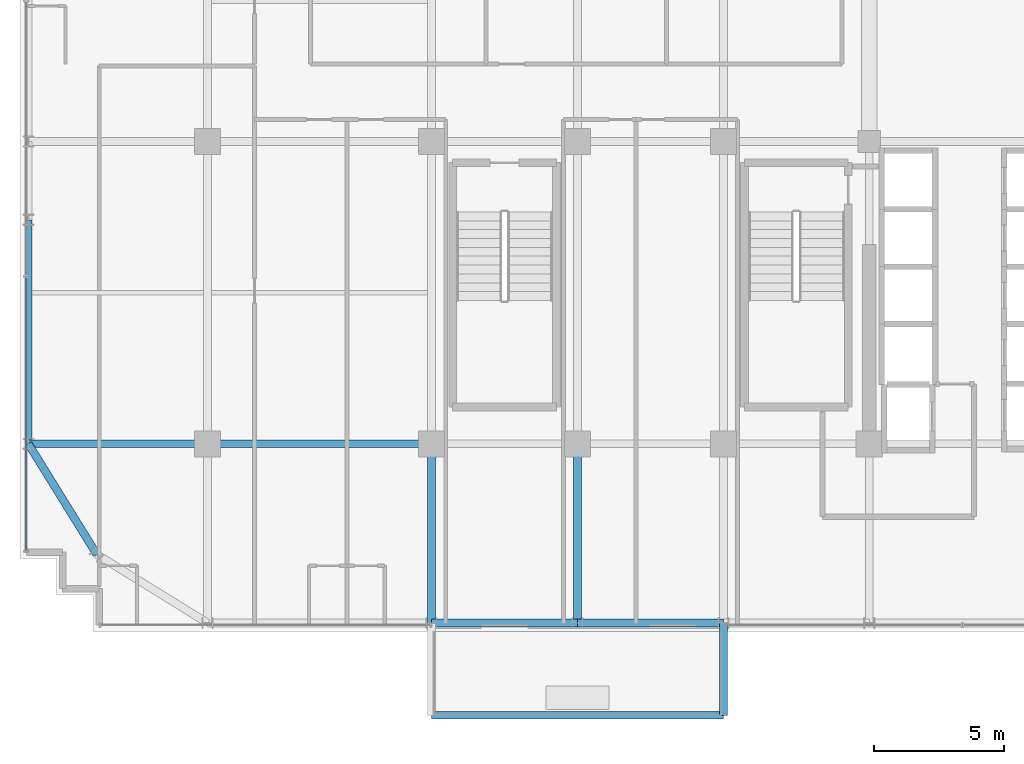
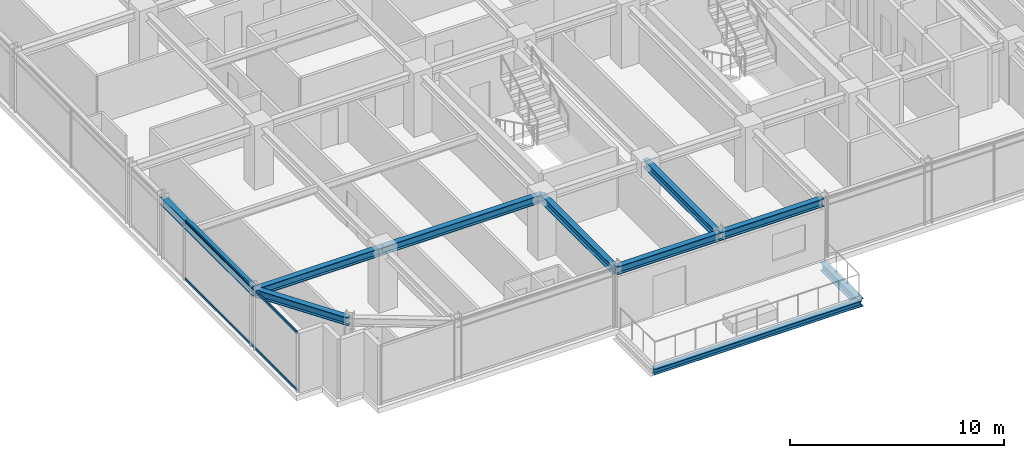
# One storey, part 5 of 34: 10 beams, 2 members, 1 element without a shape of its own.
"""IFC4 building model written with IfcOpenShell, lengths in metres."""

import ifcopenshell
import ifcopenshell.guid

model = None  # the IFC model being written
_history = None  # IfcOwnerHistory: only IFC2X3 demands one
_inside = {}  # id of a spatial element -> (the spatial element, [elements in it])
_under = {}  # id of a project, library or spatial element -> (it, [spatial elements below it])
_declared = {}  # id of a project -> (the project, [libraries it declares])
_typed = {}  # id of a type object -> (the type object, [elements of that type])
_made_of = {}  # id of a material, layer set ... -> (it, [elements and type objects made of it])


def new_model(schema):
    """Start an empty IFC model of exactly this schema.

    Asked for "IFC4X3", IfcOpenShell would pick the latest addendum, in which some entities
    have other attributes; the version numbers below select the first issue.
    IFC2X3 requires an IfcOwnerHistory on every rooted entity: one is made here for all.
    """
    global model, _history
    if schema == "IFC4X3":
        model = ifcopenshell.file(schema_version=(4, 3, 0, 0))
    else:
        model = ifcopenshell.file(schema=schema)
    _inside.clear()
    _under.clear()
    _declared.clear()
    _typed.clear()
    _made_of.clear()
    _history = None
    if model.schema == "IFC2X3":
        org = make("IfcOrganization", Name="unknown")
        user = make(
            "IfcPersonAndOrganization",
            ThePerson=make("IfcPerson", FamilyName="unknown"),
            TheOrganization=org,
        )
        app = make(
            "IfcApplication",
            ApplicationDeveloper=org,
            Version="unknown",
            ApplicationFullName="unknown",
            ApplicationIdentifier="unknown",
        )
        _history = make(
            "IfcOwnerHistory",
            OwningUser=user,
            OwningApplication=app,
            ChangeAction="ADDED",
            CreationDate=0,
        )
    return model


def make(cls, **values):
    """One entity of the class cls with the attributes given. An attribute that is None is left unset."""
    return model.create_entity(
        cls, **{name: value for name, value in values.items() if value is not None}
    )


def rooted(cls, **values):
    """An entity with a GlobalId (a new one), such as an element, a storey or a relation."""
    return make(cls, GlobalId=ifcopenshell.guid.new(), OwnerHistory=_history, **values)


def si_unit(unit_type, name, prefix=None):
    """IfcSIUnit, for example si_unit("LENGTHUNIT", "METRE", prefix="MILLI")."""
    return make("IfcSIUnit", UnitType=unit_type, Prefix=prefix, Name=name)


def assignment(units):
    """IfcUnitAssignment: the units of a project."""
    return None if units is None else make("IfcUnitAssignment", Units=units)


def point(xyz):
    """IfcCartesianPoint."""
    return None if xyz is None else make("IfcCartesianPoint", Coordinates=xyz)


def direction(xyz):
    """IfcDirection."""
    return None if xyz is None else make("IfcDirection", DirectionRatios=xyz)


def frame(location, z_axis=None, x_axis=None):
    """IfcAxis2Placement3D, a coordinate frame: its origin and axes. An axis left out is left unset."""
    return make(
        "IfcAxis2Placement3D",
        Location=point(location),
        Axis=direction(z_axis),
        RefDirection=direction(x_axis),
    )


def frame_2d(location, x_axis=None):
    """IfcAxis2Placement2D, a coordinate frame in the plane: its origin and x axis."""
    return make(
        "IfcAxis2Placement2D", Location=point(location), RefDirection=direction(x_axis)
    )


def origin():
    """The frame at (0, 0, 0) with its axes left unset."""
    return frame((0.0, 0.0, 0.0))


def origin_2d():
    """The frame at (0, 0) in the plane with its x axis left unset."""
    return frame_2d((0.0, 0.0))


def place(relative_to, where):
    """IfcLocalPlacement: puts the frame where relative to a parent placement (None: the world)."""
    return make(
        "IfcLocalPlacement", PlacementRelTo=relative_to, RelativePlacement=where
    )


def context(
    kind, dimensions, precision=None, world=None, true_north=None, identifier=None
):
    """IfcGeometricRepresentationContext, for example the 3D "Model" context."""
    return make(
        "IfcGeometricRepresentationContext",
        ContextIdentifier=identifier,
        ContextType=kind,
        CoordinateSpaceDimension=dimensions,
        Precision=precision,
        WorldCoordinateSystem=world,
        TrueNorth=true_north,
    )


def subcontext(parent, identifier, kind, view, scale=None):
    """IfcGeometricRepresentationSubContext, for example "Body" below "Model"."""
    return make(
        "IfcGeometricRepresentationSubContext",
        ContextIdentifier=identifier,
        ContextType=kind,
        ParentContext=parent,
        TargetScale=scale,
        TargetView=view,
    )


def project(units=None, contexts=None):
    """IfcProject with its units and contexts."""
    return rooted(
        "IfcProject",
        Name="project",
        RepresentationContexts=contexts,
        UnitsInContext=assignment(units),
    )


def spatial(cls, under=None, at=None, **own):
    """A site, building, storey or space (cls), placed at a placement, below another one or the project."""
    s = rooted(cls, ObjectPlacement=at, **own)
    if under is not None:
        _under.setdefault(under.id(), (under, []))[1].append(s)
    return s


def profile(cls, at=None, kind="AREA", **sizes):
    """A parametric profile (cls). Its sizes go by their IFC names, for example OverallWidth=200.0."""
    return make(cls, ProfileType=kind, Position=at, **sizes)


def hollow_rectangle(**sizes):
    """IfcRectangleHollowProfileDef."""
    return profile("IfcRectangleHollowProfileDef", **sizes)


def i_section(**sizes):
    """IfcIShapeProfileDef."""
    return profile("IfcIShapeProfileDef", **sizes)


def extrude(swept, where, along, depth):
    """IfcExtrudedAreaSolid: the profile swept, set in the frame where, extruded along a direction by depth."""
    return make(
        "IfcExtrudedAreaSolid",
        SweptArea=swept,
        Position=where,
        ExtrudedDirection=direction(along),
        Depth=depth,
    )


def shape(context_of_items, identifier, shape_type, items):
    """IfcShapeRepresentation: the items that make up one representation, for example the "Body"."""
    return make(
        "IfcShapeRepresentation",
        ContextOfItems=context_of_items,
        RepresentationIdentifier=identifier,
        RepresentationType=shape_type,
        Items=items,
    )


def source(mapping_origin, context_of_items, identifier, shape_type, items):
    """IfcRepresentationMap: a shape defined once, which mapped items show again and again."""
    return make(
        "IfcRepresentationMap",
        MappingOrigin=mapping_origin,
        MappedRepresentation=shape(context_of_items, identifier, shape_type, items),
    )


def transform(
    local_origin,
    x_axis=None,
    y_axis=None,
    z_axis=None,
    scale=None,
    scale2=None,
    scale3=None,
    uniform=True,
):
    """IfcCartesianTransformationOperator3D, or its non-uniform kind. x_axis, y_axis, z_axis: its Axis1, 2, 3."""
    if uniform:
        return make(
            "IfcCartesianTransformationOperator3D",
            Axis1=direction(x_axis),
            Axis2=direction(y_axis),
            LocalOrigin=point(local_origin),
            Scale=scale,
            Axis3=direction(z_axis),
        )
    return make(
        "IfcCartesianTransformationOperator3DnonUniform",
        Axis1=direction(x_axis),
        Axis2=direction(y_axis),
        LocalOrigin=point(local_origin),
        Scale=scale,
        Axis3=direction(z_axis),
        Scale2=scale2,
        Scale3=scale3,
    )


def mapped(mapping_source, mapping_target):
    """IfcMappedItem: shows the shape of a source again, moved by a transform."""
    return make(
        "IfcMappedItem", MappingSource=mapping_source, MappingTarget=mapping_target
    )


def material(Name=None, Category=None):
    """IfcMaterial."""
    return make("IfcMaterial", Name=Name, Category=Category)


def material_profile(
    of_material, cross_section, Name=None, Category=None, Priority=None
):
    """IfcMaterialProfile: a cross section and its material."""
    return make(
        "IfcMaterialProfile",
        Name=Name,
        Material=of_material,
        Profile=cross_section,
        Priority=Priority,
        Category=Category,
    )


def profile_set(profiles, Name=None, composite=None):
    """IfcMaterialProfileSet."""
    return make(
        "IfcMaterialProfileSet",
        Name=Name,
        MaterialProfiles=profiles,
        CompositeProfile=composite,
    )


def made_of(thing, what):
    """Note that an element or type object is made of a material, layer set ...; save() writes the relation."""
    if what is not None:
        _made_of.setdefault(what.id(), (what, []))[1].append(thing)
    return thing


def type_object(cls, material=None, **own):
    """A type object (cls), such as IfcWallType, which elements share."""
    return made_of(rooted(cls, **own), material)


def element(
    cls,
    number,
    at=None,
    inside=None,
    cuts=None,
    type_object=None,
    material=None,
    context=None,
    identifier="Body",
    shape_type=None,
    held_by="IfcProductDefinitionShape",
    body=None,
    shapes=None,
    **own,
):
    """One element of the class cls, such as IfcWall. Its Tag is "e" and its number.

    at: its placement. inside: the storey or other place that contains it. cuts: it is an
    opening in that element (IfcRelVoidsElement). A single representation is given by context,
    identifier, shape_type and body (its items); several are given by shapes. held_by: the class
    of the entity that holds the representations. save() writes the other relations.
    """
    e = rooted(cls, Tag="e%d" % number, ObjectPlacement=at, **own)
    if body is not None:
        shapes = [shape(context, identifier, shape_type, body)]
    if shapes is not None:
        e.Representation = make(held_by, Representations=shapes)
    if inside is not None:
        _inside.setdefault(inside.id(), (inside, []))[1].append(e)
    if cuts is not None:
        rooted(
            "IfcRelVoidsElement", RelatingBuildingElement=cuts, RelatedOpeningElement=e
        )
    if type_object is not None:
        _typed.setdefault(type_object.id(), (type_object, []))[1].append(e)
    return made_of(e, material)


def aggregate(whole, parts):
    """IfcRelAggregates: a whole, such as a stair, and the parts it consists of."""
    return rooted("IfcRelAggregates", RelatingObject=whole, RelatedObjects=parts)


def save(model, path):
    """Write the relations noted so far, then the file.

    IfcRelAggregates (storeys below a building ...), IfcRelContainedInSpatialStructure (elements
    in a storey), IfcRelDefinesByType, IfcRelAssociatesMaterial and IfcRelDeclares: one each for
    every whole, place, type object, material and project.
    """
    for whole, parts in _under.values():
        aggregate(whole, parts)
    for where, things in _inside.values():
        rooted(
            "IfcRelContainedInSpatialStructure",
            RelatedElements=things,
            RelatingStructure=where,
        )
    for kind, things in _typed.values():
        rooted("IfcRelDefinesByType", RelatedObjects=things, RelatingType=kind)
    for what, things in _made_of.values():
        rooted("IfcRelAssociatesMaterial", RelatedObjects=things, RelatingMaterial=what)
    for by, libraries in _declared.values():
        rooted("IfcRelDeclares", RelatingContext=by, RelatedDefinitions=libraries)
    model.write(path)


model = new_model("IFC4")

# Units and contexts
model_context = context("Model", 3, precision=1e-05, world=origin(), true_north=direction((0.0, 1.0)))
body_context = subcontext(model_context, "Body", "Model", "MODEL_VIEW")
ifc_project = project(units=[si_unit("LENGTHUNIT", "METRE"), si_unit("AREAUNIT", "SQUARE_METRE"), si_unit("VOLUMEUNIT", "CUBIC_METRE"), si_unit("PLANEANGLEUNIT", "RADIAN"), si_unit("MASSUNIT", "GRAM", prefix="KILO")], contexts=[model_context])

# Site, building, storey
site_placement = place(None, origin())
site = spatial("IfcSite", under=ifc_project, at=site_placement, CompositionType="ELEMENT")
building_placement = place(site_placement, origin())
building = spatial("IfcBuilding", under=site, at=building_placement, Name="Nahalor Promenade Grand Hotel", CompositionType="ELEMENT")
storey_placement = place(building_placement, frame((0.0, 0.0, 208.60009765625)))
storey = spatial("IfcBuildingStorey", under=building, at=storey_placement, Name="L53", CompositionType="ELEMENT", Elevation=208.60009765625)

# Beams
ifc_material_1 = material(Name="Steel S355JR", Category="steel")
ifc_material_profile_1 = material_profile(ifc_material_1, i_section(OverallWidth=0.3, OverallDepth=0.32, WebThickness=0.0115, FlangeThickness=0.0205, at=origin_2d()), Name="HEB 320")
ifc_profile_set_1 = profile_set([ifc_material_profile_1], Name="Steel S355JR")
beam_type_1 = type_object("IfcBeamType", Name="Beam-BalcEdge-HEB320", PredefinedType="SPANDREL", material=ifc_profile_set_1)
shared_shape_1 = source(origin(), body_context, "Body", "SweptSolid", [
    extrude(i_section(OverallWidth=0.3, OverallDepth=0.32, WebThickness=0.0115, FlangeThickness=0.0205, at=origin_2d()), origin(), (0.0, 0.0, 1.0), 11.199951171875),
])
beam_1_placement = place(storey_placement, frame((-8.39990234375, -27.419921875, -0.440185546875), z_axis=(1.0, 0.0, 0.0), x_axis=(0.0, 1.0, 0.0)))
element("IfcBeam", 1, at=beam_1_placement, inside=storey, type_object=beam_type_1, Name="BM-L53-BC-01-F", PredefinedType="SPANDREL", context=body_context, shape_type="MappedRepresentation", body=[
    mapped(shared_shape_1, transform((0.0, 0.0, 0.0), scale=1.0)),
])
ifc_material_profile_2 = material_profile(ifc_material_1, i_section(OverallWidth=0.3, OverallDepth=0.45, WebThickness=0.014, FlangeThickness=0.026, at=origin_2d()), Name="HEB 450")
ifc_profile_set_2 = profile_set([ifc_material_profile_2], Name="Steel S355JR")
beam_type_2 = type_object("IfcBeamType", Name="Beam-Outrigger-HEB450", PredefinedType="BEAM", material=ifc_profile_set_2)
shared_shape_2 = source(origin(), body_context, "Body", "SweptSolid", [
    extrude(i_section(OverallWidth=0.3, OverallDepth=0.45, WebThickness=0.014, FlangeThickness=0.026, at=origin_2d()), origin(), (0.0, 0.0, 1.0), 3.5400390625),
])
beam_2_placement = place(storey_placement, frame((2.800048828125, -27.419921875, -0.505126953125), z_axis=(0.0, 1.0, 0.0), x_axis=(-1.0, 0.0, 0.0)))
element("IfcBeam", 2, at=beam_2_placement, inside=storey, type_object=beam_type_2, Name="BM-L53-BC-01-2", PredefinedType="BEAM", context=body_context, shape_type="MappedRepresentation", body=[
    mapped(shared_shape_2, transform((0.0, 0.0, 0.0), scale=1.0)),
])
ifc_material_profile_3 = material_profile(ifc_material_1, i_section(OverallWidth=0.3, OverallDepth=0.45, WebThickness=0.014, FlangeThickness=0.026, at=origin_2d()), Name="HEB 450")
ifc_profile_set_3 = profile_set([ifc_material_profile_3], Name="Steel S355JR")
beam_type_3 = type_object("IfcBeamType", Name="Beam-Spandrel-HEB450", PredefinedType="SPANDREL", material=ifc_profile_set_3)
shared_shape_3 = source(origin(), body_context, "Body", "SweptSolid", [
    extrude(i_section(OverallWidth=0.3, OverallDepth=0.45, WebThickness=0.014, FlangeThickness=0.026, at=origin_2d()), origin(), (0.0, 0.0, 1.0), 8.60009765625),
])
beam_3_placement = place(storey_placement, frame((-23.8798828125, -17.0, 3.184814453125), z_axis=(0.0, 1.0, 0.0), x_axis=(-1.0, 0.0, 0.0)))
element("IfcBeam", 3, at=beam_3_placement, inside=storey, type_object=beam_type_3, Name="BM-L53-SP-W-0", PredefinedType="SPANDREL", context=body_context, shape_type="MappedRepresentation", body=[
    mapped(shared_shape_3, transform((0.0, 0.0, 0.0), scale=1.0)),
])
shared_shape_4 = source(origin(), body_context, "Body", "SweptSolid", [
    extrude(i_section(OverallWidth=0.3, OverallDepth=0.45, WebThickness=0.014, FlangeThickness=0.026, at=origin_2d()), origin(), (0.0, 0.0, 1.0), 5.599853515625),
])
beam_4_placement = place(storey_placement, frame((-8.39990234375, -23.8798828125, 3.184814453125), z_axis=(1.0, 0.0, 0.0), x_axis=(0.0, 1.0, 0.0)))
element("IfcBeam", 4, at=beam_4_placement, inside=storey, type_object=beam_type_3, Name="BM-L53-SP-S-1", PredefinedType="SPANDREL", context=body_context, shape_type="MappedRepresentation", body=[
    mapped(shared_shape_4, transform((0.0, 0.0, 0.0), scale=1.0)),
])
shared_shape_5 = source(origin(), body_context, "Body", "SweptSolid", [
    extrude(i_section(OverallWidth=0.3, OverallDepth=0.45, WebThickness=0.014, FlangeThickness=0.026, at=origin_2d()), origin(), (0.0, 0.0, 1.0), 5.60009765625),
])
beam_5_placement = place(storey_placement, frame((-2.800048828125, -23.8798828125, 3.184814453125), z_axis=(1.0, 0.0, 0.0), x_axis=(0.0, 1.0, 0.0)))
element("IfcBeam", 5, at=beam_5_placement, inside=storey, type_object=beam_type_3, Name="BM-L53-SP-S-2", PredefinedType="SPANDREL", context=body_context, shape_type="MappedRepresentation", body=[
    mapped(shared_shape_5, transform((0.0, 0.0, 0.0), scale=1.0)),
])
shared_shape_6 = source(origin(), body_context, "Body", "SweptSolid", [
    extrude(i_section(OverallWidth=0.3, OverallDepth=0.45, WebThickness=0.014, FlangeThickness=0.026, at=origin_2d()), origin(), (0.0, 0.0, 1.0), 4.997802734375),
])
beam_6_placement = place(storey_placement, frame((-21.25, -21.25, 3.184814453125), z_axis=(-0.526199891161, 0.850360908404, 0.0), x_axis=(-0.850360908404, -0.526199891161, 0.0)))
element("IfcBeam", 6, at=beam_6_placement, inside=storey, type_object=beam_type_3, Name="BM-L53-SPC-SW-2", PredefinedType="SPANDREL", context=body_context, shape_type="MappedRepresentation", body=[
    mapped(shared_shape_6, transform((0.0, 0.0, 0.0), scale=1.0)),
])
ifc_material_profile_4 = material_profile(ifc_material_1, i_section(OverallWidth=0.3, OverallDepth=0.45, WebThickness=0.014, FlangeThickness=0.026, at=origin_2d()), Name="HEB 450")
ifc_profile_set_4 = profile_set([ifc_material_profile_4], Name="Steel S355JR")
beam_type_4 = type_object("IfcBeamType", Name="Beam-Girder-HEB450", PredefinedType="BEAM", material=ifc_profile_set_4)
shared_shape_7 = source(origin(), body_context, "Body", "SweptSolid", [
    extrude(i_section(OverallWidth=0.3, OverallDepth=0.45, WebThickness=0.014, FlangeThickness=0.026, at=origin_2d()), origin(), (0.0, 0.0, 1.0), 6.8798828125),
])
for number, where, z_axis, x_axis, name in (
    (7, (-23.8798828125, -17.0, 3.184814453125), (1.0, 0.0, 0.0), (0.0, 1.0, 0.0), "BM-L53-GX-0-0"),
    (8, (-8.39990234375, -23.8798828125, 3.184814453125), (0.0, 1.0, 0.0), (-1.0, 0.0, 0.0), "BM-L53-GY-1-0"),
    (9, (-2.800048828125, -23.8798828125, 3.184814453125), (0.0, 1.0, 0.0), (-1.0, 0.0, 0.0), "BM-L53-GY-2-0"),
):
    element("IfcBeam", number, at=place(storey_placement, frame(where, z_axis=z_axis, x_axis=x_axis)), inside=storey, type_object=beam_type_4, Name=name, PredefinedType="BEAM", context=body_context, shape_type="MappedRepresentation", body=[
        mapped(shared_shape_7, transform((0.0, 0.0, 0.0), scale=1.0)),
    ])
shared_shape_8 = source(origin(), body_context, "Body", "SweptSolid", [
    extrude(i_section(OverallWidth=0.3, OverallDepth=0.45, WebThickness=0.014, FlangeThickness=0.026, at=origin_2d()), origin(), (0.0, 0.0, 1.0), 8.60009765625),
])
beam_7_placement = place(storey_placement, frame((-17.0, -17.0, 3.184814453125), z_axis=(1.0, 0.0, 0.0), x_axis=(0.0, 1.0, 0.0)))
element("IfcBeam", 10, at=beam_7_placement, inside=storey, type_object=beam_type_4, Name="BM-L53-GX-0-1", PredefinedType="BEAM", context=body_context, shape_type="MappedRepresentation", body=[
    mapped(shared_shape_8, transform((0.0, 0.0, 0.0), scale=1.0)),
])

# Curtain wall, members
ifc_material_2 = material(Name="Anodised Bronze Aluminium EN AW-6063 T6", Category="aluminium")
curtain_wall_type = type_object("IfcCurtainWallType", Name="CW2 Typical Hotel Flush Bronze Unitised Curtain Wall", PredefinedType="USERDEFINED", material=ifc_material_2)
curtain_wall_placement = place(storey_placement, origin())
curtain_wall = element("IfcCurtainWall", 11, at=curtain_wall_placement, inside=storey, type_object=curtain_wall_type, Name="L53 Curtain Wall CW-L53-W-1", ObjectType="UNITISED_CURTAIN_WALL", PredefinedType="USERDEFINED")
ifc_material_profile_5 = material_profile(ifc_material_2, hollow_rectangle(XDim=0.065, YDim=0.13, WallThickness=0.004, at=origin_2d()), Name="CWT 65x130x4")
ifc_profile_set_5 = profile_set([ifc_material_profile_5], Name="Anodised Bronze Aluminium EN AW-6063 T6")
member_type = type_object("IfcMemberType", Name="CWT2 Typical Bronze Transom 65x130", PredefinedType="USERDEFINED", material=ifc_profile_set_5)
shared_shape_9 = source(origin(), body_context, "Body", "SweptSolid", [
    extrude(hollow_rectangle(XDim=0.065, YDim=0.13, WallThickness=0.004, at=origin_2d()), origin(), (0.0, 0.0, 1.0), 10.482421875),
])
member_1_placement = place(storey_placement, frame((-23.9599609375, -21.094970703125, 0.06494140625), z_axis=(0.0, 1.0, 0.0), x_axis=(-1.0, 0.0, 0.0)))
member_1 = element("IfcMember", 12, at=member_1_placement, type_object=member_type, Name="CW-L53-W-1 Transom 0-0", ObjectType="TRANSOM", PredefinedType="USERDEFINED", context=body_context, shape_type="MappedRepresentation", body=[
    mapped(shared_shape_9, transform((0.0, 0.0, 0.0), scale=1.0)),
])
member_2_placement = place(storey_placement, frame((-23.9599609375, -21.094970703125, 3.344970703125), z_axis=(0.0, 1.0, 0.0), x_axis=(-1.0, 0.0, 0.0)))
member_2 = element("IfcMember", 13, at=member_2_placement, type_object=member_type, Name="CW-L53-W-1 Transom 0-1", ObjectType="TRANSOM", PredefinedType="USERDEFINED", context=body_context, shape_type="MappedRepresentation", body=[
    mapped(shared_shape_9, transform((0.0, 0.0, 0.0), scale=1.0)),
])
aggregate(curtain_wall, [member_1, member_2])

save(model, "model.ifc")
